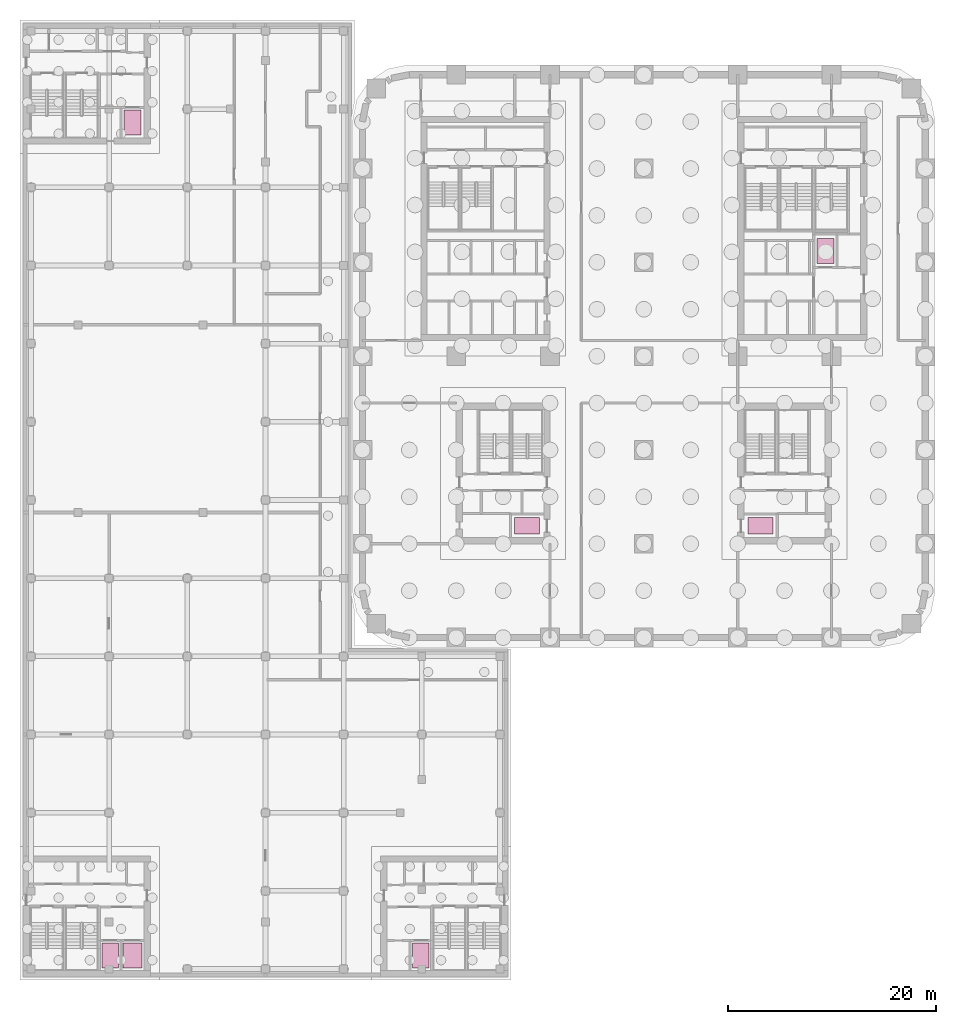
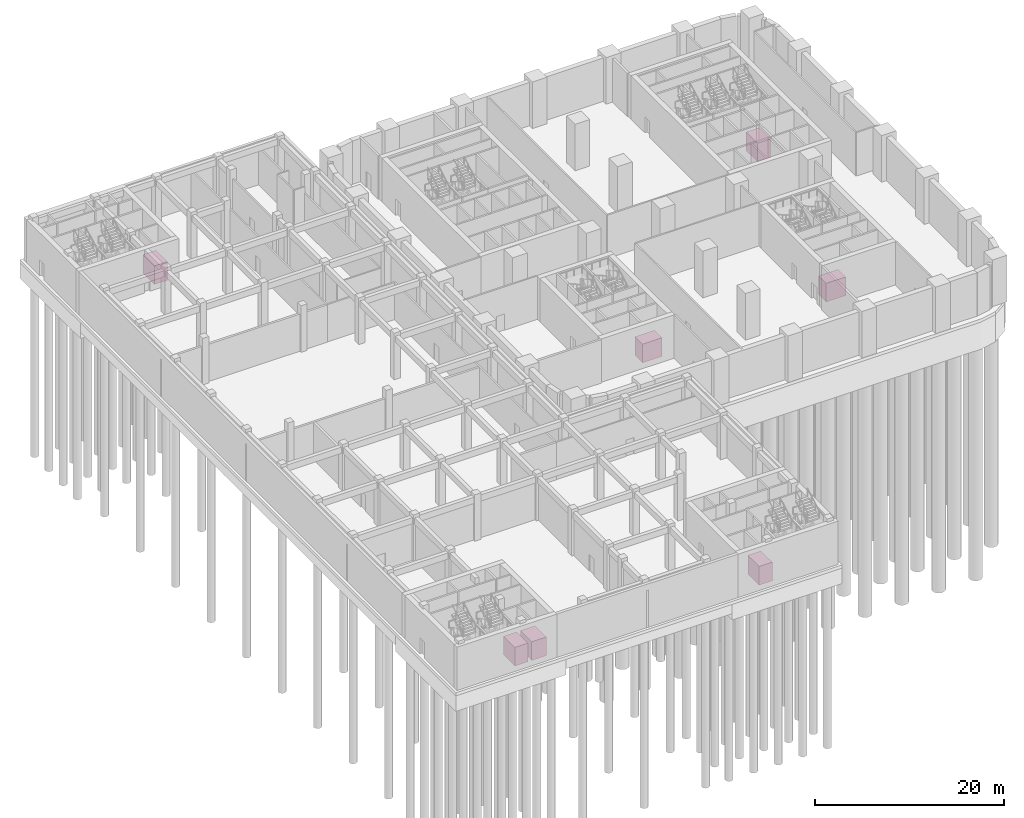
# One storey, part 26 of 26: 7 transport elements.
"""IFC4 building model written with IfcOpenShell, lengths in metres."""

from ifc_helpers import new_model, si_unit, direction, frame, origin, origin_2d, place, context, subcontext, project, spatial, rectangle, extrude, material, type_object, element, save


model = new_model("IFC4")

# Units and contexts
model_context = context("Model", 3, precision=1e-05, world=origin(), true_north=direction((0.0, 1.0)))
body_context = subcontext(model_context, "Body", "Model", "MODEL_VIEW")
ifc_project = project(units=[si_unit("LENGTHUNIT", "METRE"), si_unit("AREAUNIT", "SQUARE_METRE"), si_unit("VOLUMEUNIT", "CUBIC_METRE"), si_unit("PLANEANGLEUNIT", "RADIAN"), si_unit("MASSUNIT", "GRAM", prefix="KILO")], contexts=[model_context])

# Site, building, storey
site_placement = place(None, origin())
site = spatial("IfcSite", under=ifc_project, at=site_placement, CompositionType="ELEMENT")
building_placement = place(site_placement, origin())
building = spatial("IfcBuilding", under=site, at=building_placement, Name="Tessera Arch", CompositionType="ELEMENT")
storey_placement = place(building_placement, frame((0.0, 0.0, -6.0)))
storey = spatial("IfcBuildingStorey", under=building, at=storey_placement, Name="B1", CompositionType="ELEMENT", Elevation=-6.0)

# Transport elements
ifc_material_1 = material(Name="Steel car enclosure", Category="steel")
transport_element_type_1 = type_object("IfcTransportElementType", Name="Car 1600 x 2400", PredefinedType="ELEVATOR", material=ifc_material_1)
for number, where, z_axis, x_axis, name in (
    (1, (-22.050048828125, 49.39990234375, 0.0), (0.0, 0.0, 1.0), (1.0, 0.0, 0.0), "ML1"),
    (2, (-24.199951171875, -30.5, 0.0), (0.0, 0.0, 1.0), (1.0, 0.0, 0.0), "ML2"),
    (3, (5.60009765625, -30.5, 0.0), (0.0, 0.0, 1.0), (1.0, 0.0, 0.0), "ML4"),
):
    element("IfcTransportElement", number, at=place(storey_placement, frame(where, z_axis=z_axis, x_axis=x_axis)), inside=storey, type_object=transport_element_type_1, Name=name, PredefinedType="ELEVATOR", context=body_context, shape_type="SweptSolid", body=[
        extrude(rectangle(XDim=1.60009765625, YDim=2.39990234375, at=origin_2d()), origin(), (0.0, 0.0, 1.0), 2.39990234375),
    ])
ifc_material_2 = material(Name="Steel car enclosure", Category="steel")
transport_element_type_2 = type_object("IfcTransportElementType", Name="Goods car 1800 x 2400", PredefinedType="ELEVATOR", material=ifc_material_2)
transport_element_placement = place(storey_placement, frame((-22.050048828125, -30.5, 0.0), z_axis=(0.0, 0.0, 1.0), x_axis=(1.0, 0.0, 0.0)))
element("IfcTransportElement", 4, at=transport_element_placement, inside=storey, type_object=transport_element_type_2, Name="ML3", PredefinedType="ELEVATOR", context=body_context, shape_type="SweptSolid", body=[
    extrude(rectangle(XDim=1.800048828125, YDim=2.39990234375, at=origin_2d()), origin(), (0.0, 0.0, 1.0), 2.39990234375),
])
ifc_material_3 = material(Name="Steel car enclosure", Category="steel")
transport_element_type_3 = type_object("IfcTransportElementType", Name="Service car 1600 x 2400", PredefinedType="ELEVATOR", material=ifc_material_3)
for number, where, z_axis, x_axis, name in (
    (5, (38.199951171875, 10.72509765625, 0.0), (0.0, 0.0, 1.0), (0.0, 1.0, 0.0), "SV1"),
    (6, (44.425048828125, 37.10009765625, 0.0), (0.0, 0.0, 1.0), (1.0, 0.0, 0.0), "SV2"),
    (7, (15.800048828125, 10.72509765625, 0.0), (0.0, 0.0, 1.0), (0.0, 1.0, 0.0), "SV3"),
):
    element("IfcTransportElement", number, at=place(storey_placement, frame(where, z_axis=z_axis, x_axis=x_axis)), inside=storey, type_object=transport_element_type_3, Name=name, PredefinedType="ELEVATOR", context=body_context, shape_type="SweptSolid", body=[
        extrude(rectangle(XDim=1.60009765625, YDim=2.39990234375, at=origin_2d()), origin(), (0.0, 0.0, 1.0), 2.39990234375),
    ])

save(model, "model.ifc")
